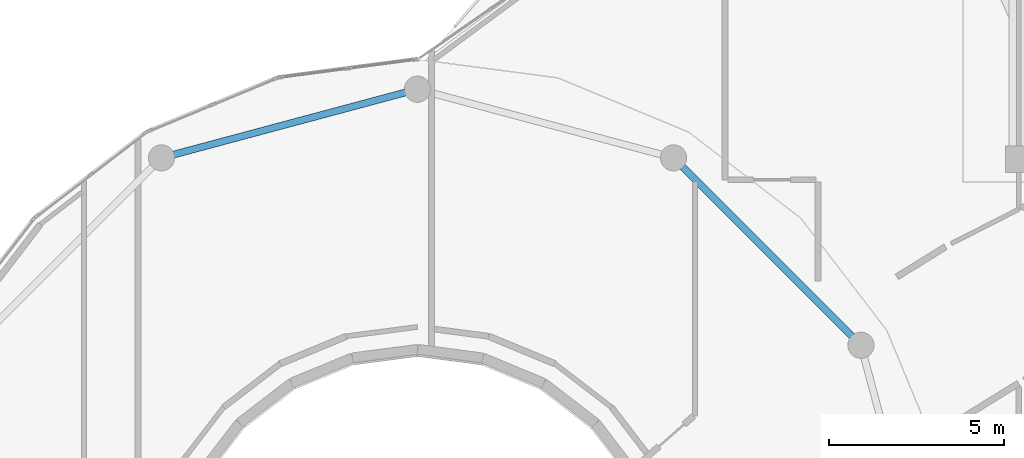
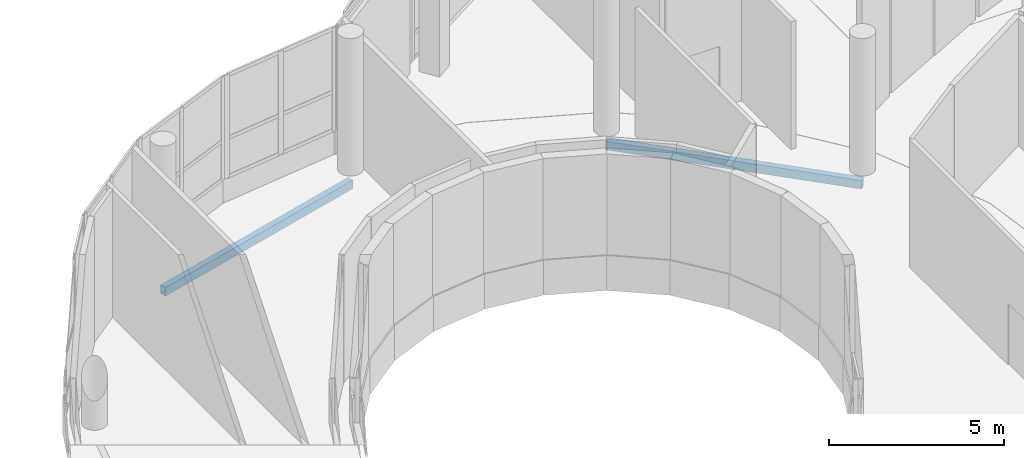
# One storey, part 50 of 155: 2 beams.
"""IFC4 building model written with IfcOpenShell, lengths in metres."""

from ifc_helpers import new_model, si_unit, direction, frame, origin, origin_2d, place, context, subcontext, project, spatial, hollow_rectangle, extrude, material, material_profile, profile_set, type_object, element, save


model = new_model("IFC4")

# Units and contexts
model_context = context("Model", 3, precision=1e-05, world=origin(), true_north=direction((0.0, 1.0)))
body_context = subcontext(model_context, "Body", "Model", "MODEL_VIEW")
ifc_project = project(units=[si_unit("LENGTHUNIT", "METRE"), si_unit("AREAUNIT", "SQUARE_METRE"), si_unit("VOLUMEUNIT", "CUBIC_METRE"), si_unit("PLANEANGLEUNIT", "RADIAN"), si_unit("MASSUNIT", "GRAM", prefix="KILO")], contexts=[model_context])

# Site, building, storey
site_placement = place(None, origin())
site = spatial("IfcSite", under=ifc_project, at=site_placement, CompositionType="ELEMENT")
building_placement = place(site_placement, origin())
building = spatial("IfcBuilding", under=site, at=building_placement, Name="Selatvlak General Hospital", CompositionType="ELEMENT")
storey_placement = place(building_placement, frame((0.0, 0.0, 10.199951171875)))
storey = spatial("IfcBuildingStorey", under=building, at=storey_placement, Name="L02", CompositionType="ELEMENT", Elevation=10.199951171875)

# Beams
ifc_material = material(Name="Steel S355", Category="steel")
ifc_material_profile = material_profile(ifc_material, hollow_rectangle(XDim=0.199951171875, YDim=0.300048828125, WallThickness=0.011962890625, at=origin_2d()), Name="RHS 300x200x12")
ifc_profile_set = profile_set([ifc_material_profile], Name="Steel S355")
beam_type = type_object("IfcBeamType", Name="BM-SP3", PredefinedType="SPANDREL", material=ifc_profile_set)
beam_1_placement = place(storey_placement, frame((110.68701171875, 61.324951171875, -0.5048828125), z_axis=(-0.707106781187, 0.707106781187, 0.0), x_axis=(-0.707106781187, -0.707106781187, 0.0)))
element("IfcBeam", 1, at=beam_1_placement, inside=storey, type_object=beam_type, Name="Beam BMR-L02-1100", PredefinedType="SPANDREL", context=body_context, shape_type="SweptSolid", body=[
    extrude(hollow_rectangle(XDim=0.199951171875, YDim=0.300048828125, WallThickness=0.011962890625, at=origin_2d()), origin(), (0.0, 0.0, 1.0), 7.5830078125),
])
beam_2_placement = place(storey_placement, frame((98.0, 68.64990234375, -0.5048828125), z_axis=(-0.965920028052, -0.25884068345, 0.0), x_axis=(0.25884068345, -0.965920028052, 0.0)))
element("IfcBeam", 2, at=beam_2_placement, inside=storey, type_object=beam_type, Name="Beam BMR-L02-1102", PredefinedType="SPANDREL", context=body_context, shape_type="SweptSolid", body=[
    extrude(hollow_rectangle(XDim=0.199951171875, YDim=0.300048828125, WallThickness=0.011962890625, at=origin_2d()), origin(), (0.0, 0.0, 1.0), 7.58349609375),
])

save(model, "model.ifc")
